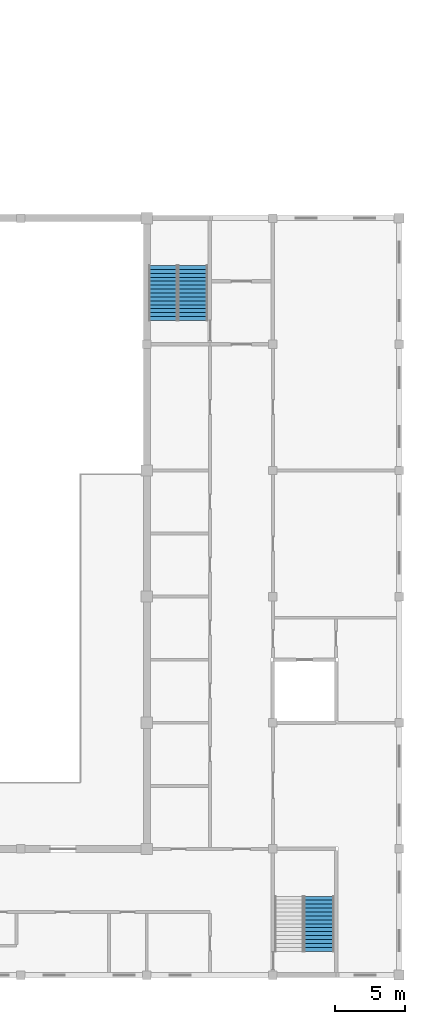
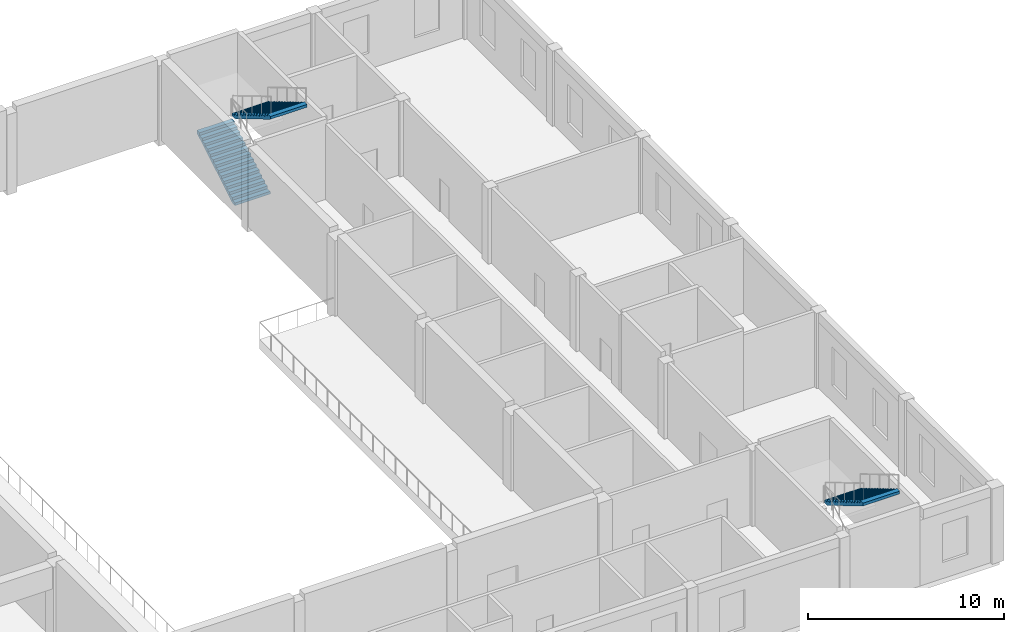
# One storey, part 28 of 34: 3 stair flights, 2 elements without a shape of their own.
"""IFC4 building model written with IfcOpenShell, lengths in metres."""

from ifc_helpers import new_model, si_unit, direction, frame, origin, place, context, subcontext, project, spatial, polyline, outline, extrude, material, layer, layer_set, type_object, element, aggregate, save


model = new_model("IFC4")

# Units and contexts
model_context = context("Model", 3, precision=1e-05, world=origin(), true_north=direction((0.0, 1.0)))
body_context = subcontext(model_context, "Body", "Model", "MODEL_VIEW")
ifc_project = project(units=[si_unit("LENGTHUNIT", "METRE"), si_unit("AREAUNIT", "SQUARE_METRE"), si_unit("VOLUMEUNIT", "CUBIC_METRE"), si_unit("PLANEANGLEUNIT", "RADIAN"), si_unit("MASSUNIT", "GRAM", prefix="KILO")], contexts=[model_context])

# Site, building, storey
site_placement = place(None, origin())
site = spatial("IfcSite", under=ifc_project, at=site_placement, CompositionType="ELEMENT")
building_placement = place(site_placement, origin())
building = spatial("IfcBuilding", under=site, at=building_placement, Name="Firuza Court", CompositionType="ELEMENT")
storey_placement = place(building_placement, frame((0.0, 0.0, 14.0)))
storey = spatial("IfcBuildingStorey", under=building, at=storey_placement, Name="L02", CompositionType="ELEMENT", Elevation=14.0)

# Stair, stair flight
ifc_material_1 = material(Name="Concrete C40/50", Category="concrete")
stair_type = type_object("IfcStairType", Name="HALL STAIR", PredefinedType="NOTDEFINED", material=ifc_material_1)
stair_1_placement = place(storey_placement, origin())
stair_1 = element("IfcStair", 1, at=stair_1_placement, inside=storey, type_object=stair_type, Name="Stair H2 L02", PredefinedType="NOTDEFINED")
ifc_material_2 = material(Name="Concrete C40/50", Category="concrete")
ifc_layer = layer(ifc_material_2, 0.14990234375)
ifc_layer_set = layer_set([ifc_layer], Name="Concrete C40/50")
stair_flight_type = type_object("IfcStairFlightType", Name="HALL STAIR FLIGHT", PredefinedType="STRAIGHT", material=ifc_layer_set)
stair_flight_1_placement = place(storey_placement, frame((147.28759765625, -3.3798828125, 2.5), z_axis=(0.0, 0.0, 1.0), x_axis=(0.0, -1.0, 0.0)))
stair_flight_1 = element("IfcStairFlight", 2, at=stair_flight_1_placement, type_object=stair_flight_type, Name="HS-2 flight 2", NumberOfRisers=15, NumberOfTreads=14, PredefinedType="STRAIGHT", RiserHeight=0.166666667, TreadLength=0.28, context=body_context, shape_type="SweptSolid", body=[
    extrude(outline(polyline([(0.0, 0.0), (0.0, 0.166748046875), (0.280029296875, 0.166748046875), (0.280029296875, 0.333251953125), (0.56005859375, 0.333251953125), (0.56005859375, 0.5), (0.840087890625, 0.5), (0.840087890625, 0.666748046875), (1.1201171875, 0.666748046875), (1.1201171875, 0.833251953125), (1.39990234375, 0.833251953125), (1.39990234375, 1.0), (1.679931640625, 1.0), (1.679931640625, 1.166748046875), (1.9599609375, 1.166748046875), (1.9599609375, 1.333251953125), (2.239990234375, 1.333251953125), (2.239990234375, 1.5), (2.52001953125, 1.5), (2.52001953125, 1.666748046875), (2.800048828125, 1.666748046875), (2.800048828125, 1.833251953125), (3.080078125, 1.833251953125), (3.080078125, 2.0), (3.360107421875, 2.0), (3.360107421875, 2.166748046875), (3.639892578125, 2.166748046875), (3.639892578125, 2.333251953125), (3.919921875, 2.333251953125), (3.919921875, 2.5), (3.919921875, 2.158935546875), (0.29296875, 0.0), (0.0, 0.0)])), frame((0.0, 1.08740234375, 0.0), z_axis=(0.0, -1.0, 0.0), x_axis=(1.0, 0.0, 0.0)), (0.0, 0.0, 1.0), 2.175048828125),
])
aggregate(stair_1, [stair_flight_1])

# Stair, stair flights
stair_2_placement = place(storey_placement, origin())
stair_2 = element("IfcStair", 3, at=stair_2_placement, inside=storey, type_object=stair_type, Name="Stair H4 L02", PredefinedType="NOTDEFINED")
stair_flight_2_placement = place(storey_placement, frame((136.16259765625, 37.699951171875, 0.0), z_axis=(0.0, 0.0, 1.0), x_axis=(0.0, 1.0, 0.0)))
stair_flight_2 = element("IfcStairFlight", 4, at=stair_flight_2_placement, type_object=stair_flight_type, Name="HS-4 flight 1", NumberOfRisers=15, NumberOfTreads=14, PredefinedType="STRAIGHT", RiserHeight=0.166666667, TreadLength=0.28, context=body_context, shape_type="SweptSolid", body=[
    extrude(outline(polyline([(0.0, 0.0), (0.0, 0.166748046875), (0.280029296875, 0.166748046875), (0.280029296875, 0.333251953125), (0.56005859375, 0.333251953125), (0.56005859375, 0.5), (0.840087890625, 0.5), (0.840087890625, 0.666748046875), (1.1201171875, 0.666748046875), (1.1201171875, 0.833251953125), (1.39990234375, 0.833251953125), (1.39990234375, 1.0), (1.679931640625, 1.0), (1.679931640625, 1.166748046875), (1.9599609375, 1.166748046875), (1.9599609375, 1.333251953125), (2.239990234375, 1.333251953125), (2.239990234375, 1.5), (2.52001953125, 1.5), (2.52001953125, 1.666748046875), (2.800048828125, 1.666748046875), (2.800048828125, 1.833251953125), (3.080078125, 1.833251953125), (3.080078125, 2.0), (3.360107421875, 2.0), (3.360107421875, 2.166748046875), (3.639892578125, 2.166748046875), (3.639892578125, 2.333251953125), (3.919921875, 2.333251953125), (3.919921875, 2.5), (3.919921875, 2.158935546875), (0.29296875, 0.0), (0.0, 0.0)])), frame((0.0, 1.03759765625, 0.0), z_axis=(0.0, -1.0, 0.0), x_axis=(1.0, 0.0, 0.0)), (0.0, 0.0, 1.0), 2.074951171875),
])
stair_flight_3_placement = place(storey_placement, frame((138.28759765625, 41.6201171875, 2.5), z_axis=(0.0, 0.0, 1.0), x_axis=(0.0, -1.0, 0.0)))
stair_flight_3 = element("IfcStairFlight", 5, at=stair_flight_3_placement, type_object=stair_flight_type, Name="HS-4 flight 2", NumberOfRisers=15, NumberOfTreads=14, PredefinedType="STRAIGHT", RiserHeight=0.166666667, TreadLength=0.28, context=body_context, shape_type="SweptSolid", body=[
    extrude(outline(polyline([(0.0, 0.0), (0.0, 0.166748046875), (0.280029296875, 0.166748046875), (0.280029296875, 0.333251953125), (0.56005859375, 0.333251953125), (0.56005859375, 0.5), (0.840087890625, 0.5), (0.840087890625, 0.666748046875), (1.1201171875, 0.666748046875), (1.1201171875, 0.833251953125), (1.39990234375, 0.833251953125), (1.39990234375, 1.0), (1.679931640625, 1.0), (1.679931640625, 1.166748046875), (1.9599609375, 1.166748046875), (1.9599609375, 1.333251953125), (2.239990234375, 1.333251953125), (2.239990234375, 1.5), (2.52001953125, 1.5), (2.52001953125, 1.666748046875), (2.800048828125, 1.666748046875), (2.800048828125, 1.833251953125), (3.080078125, 1.833251953125), (3.080078125, 2.0), (3.360107421875, 2.0), (3.360107421875, 2.166748046875), (3.639892578125, 2.166748046875), (3.639892578125, 2.333251953125), (3.919921875, 2.333251953125), (3.919921875, 2.5), (3.919921875, 2.158935546875), (0.29296875, 0.0), (0.0, 0.0)])), frame((0.0, 1.08740234375, 0.0), z_axis=(0.0, -1.0, 0.0), x_axis=(1.0, 0.0, 0.0)), (0.0, 0.0, 1.0), 2.175048828125),
])
aggregate(stair_2, [stair_flight_2, stair_flight_3])

save(model, "model.ifc")
